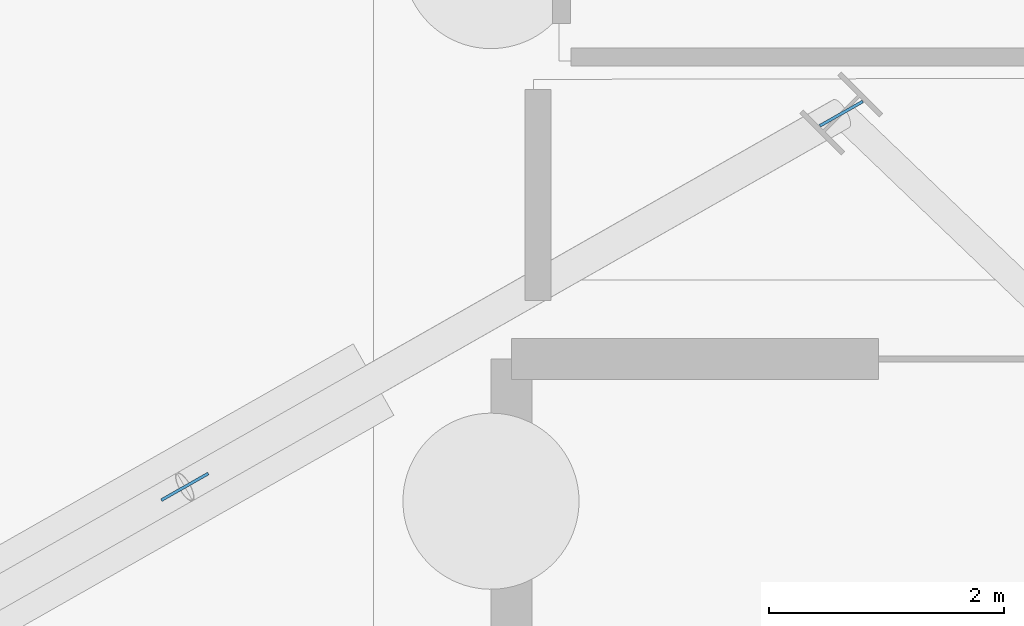
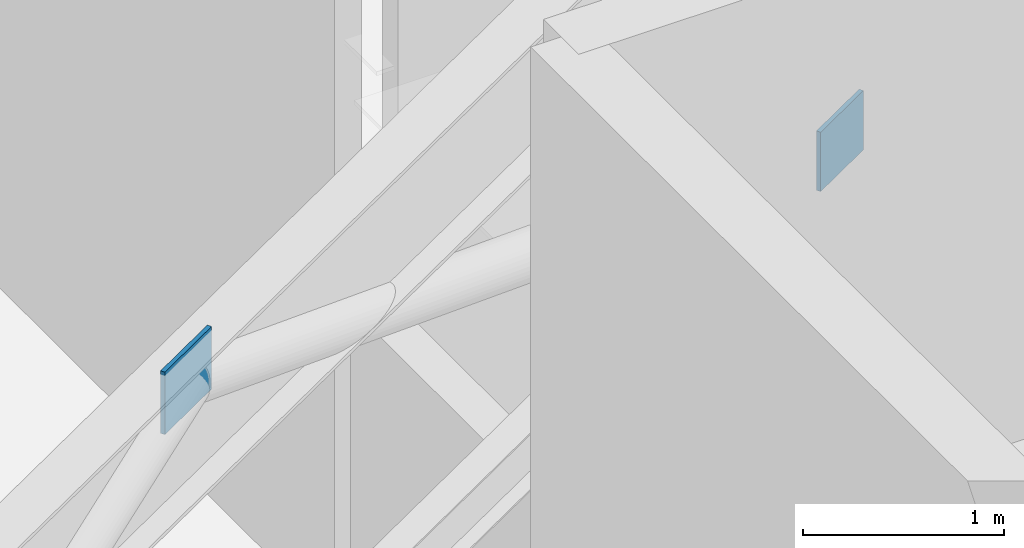
# One storey, part 48 of 93: 2 plates.
"""IFC4 building model written with IfcOpenShell, lengths in metres."""

from ifc_helpers import new_model, si_unit, direction, frame, origin, origin_2d, place, context, subcontext, project, spatial, rectangle, extrude, material, layer, layer_set, type_object, element, save


model = new_model("IFC4")

# Units and contexts
model_context = context("Model", 3, precision=1e-05, world=origin(), true_north=direction((0.0, 1.0)))
body_context = subcontext(model_context, "Body", "Model", "MODEL_VIEW")
ifc_project = project(units=[si_unit("LENGTHUNIT", "METRE"), si_unit("AREAUNIT", "SQUARE_METRE"), si_unit("VOLUMEUNIT", "CUBIC_METRE"), si_unit("PLANEANGLEUNIT", "RADIAN"), si_unit("MASSUNIT", "GRAM", prefix="KILO")], contexts=[model_context])

# Site, building, storey
site_placement = place(None, origin())
site = spatial("IfcSite", under=ifc_project, at=site_placement, CompositionType="ELEMENT")
building_placement = place(site_placement, origin())
building = spatial("IfcBuilding", under=site, at=building_placement, Name="Kalgoora Escarpment Arena", CompositionType="ELEMENT")
storey_placement = place(building_placement, origin())
storey = spatial("IfcBuildingStorey", under=building, at=storey_placement, Name="L00", CompositionType="ELEMENT", Elevation=0.0)

# Plates
ifc_material = material(Name="Structural steel Grade 350 (350 MPa)", Category="steel")
ifc_layer = layer(ifc_material, 0.02490234375)
ifc_layer_set = layer_set([ifc_layer], Name="PLT-GUSSET-25")
plate_type = type_object("IfcPlateType", Name="PLT-GUSSET-25", PredefinedType="USERDEFINED", material=ifc_layer_set)
plate_1_placement = place(storey_placement, frame((124.991943359375, 32.537353515625, 4.760009765625), z_axis=(0.0, 0.0, 1.0), x_axis=(0.869408707144, 0.494093614554, 0.0)))
element("IfcPlate", 1, at=plate_1_placement, inside=storey, type_object=plate_type, Name="L00 chevron gusset cap plate R21", ObjectType="FLANGE PLATE", PredefinedType="USERDEFINED", context=body_context, shape_type="SweptSolid", body=[
    extrude(rectangle(XDim=0.4599609375, YDim=0.02490234375, at=origin_2d()), origin(), (0.0, 0.0, 1.0), 0.3798828125),
])
plate_2_placement = place(storey_placement, frame((130.583740234375, 35.7158203125, 2.33984375), z_axis=(0.0, 0.0, 1.0), x_axis=(-0.869494929505, -0.493941866584, 0.0)))
element("IfcPlate", 2, at=plate_2_placement, inside=storey, type_object=plate_type, Name="Brace and post end gusset plate 008", ObjectType="FLANGE PLATE", PredefinedType="USERDEFINED", context=body_context, shape_type="SweptSolid", body=[
    extrude(rectangle(XDim=0.419921875, YDim=0.02490234375, at=origin_2d()), origin(), (0.0, 0.0, 1.0), 0.360107421875),
])

save(model, "model.ifc")
